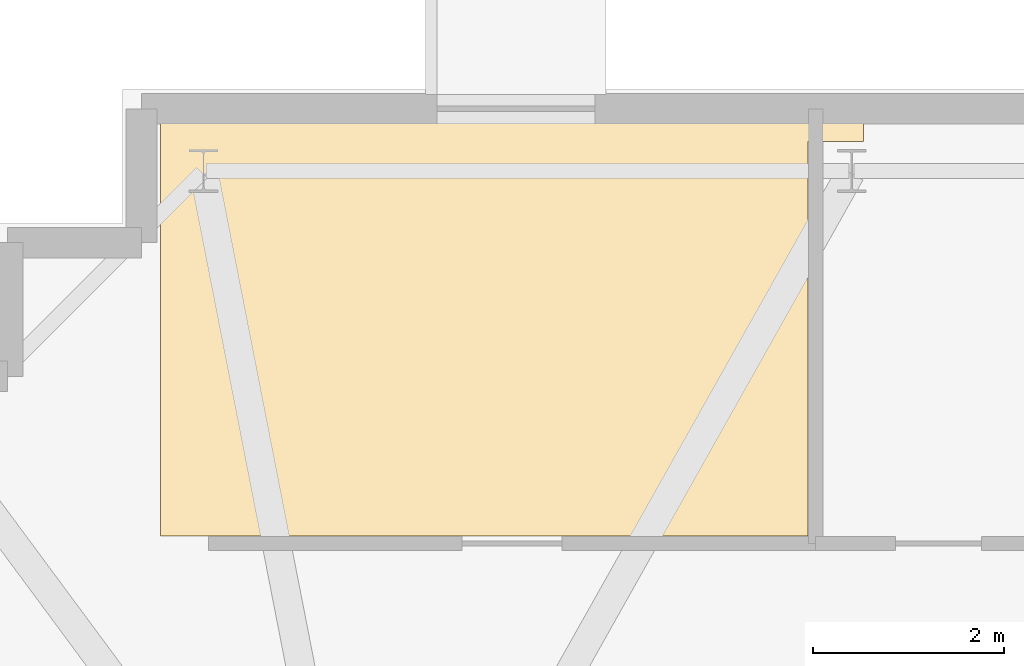
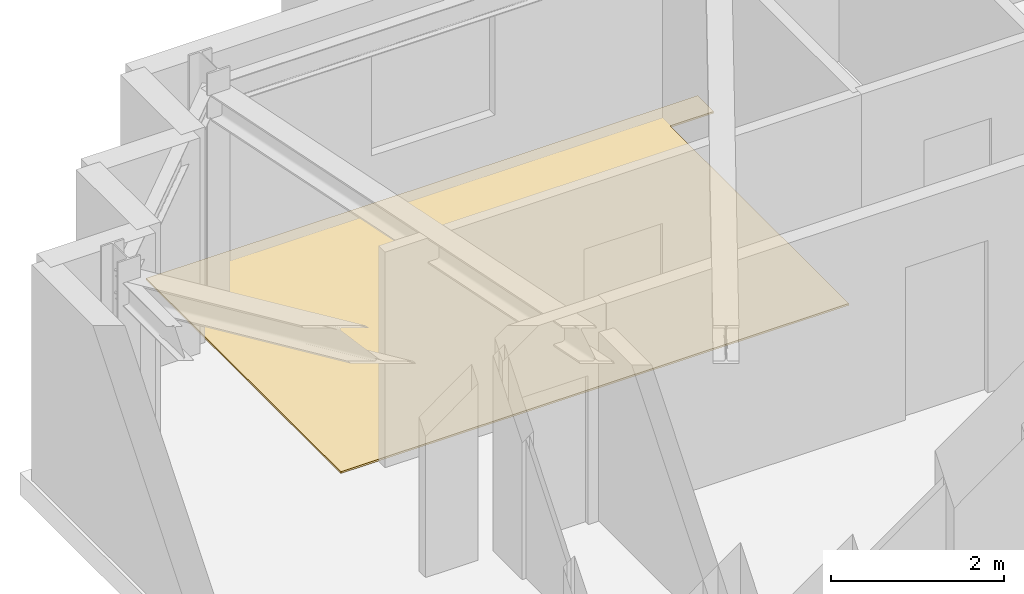
# One storey, part 12 of 12: 1 covering.
"""IFC4 building model written with IfcOpenShell, lengths in metres."""

from ifc_helpers import new_model, si_unit, direction, frame, origin, place, context, subcontext, project, spatial, polyline, outline, extrude, material, layer, layer_set, type_object, element, save


model = new_model("IFC4")

# Units and contexts
model_context = context("Model", 3, precision=1e-05, world=origin(), true_north=direction((0.0, 1.0)))
body_context = subcontext(model_context, "Body", "Model", "MODEL_VIEW")
ifc_project = project(units=[si_unit("LENGTHUNIT", "METRE"), si_unit("AREAUNIT", "SQUARE_METRE"), si_unit("VOLUMEUNIT", "CUBIC_METRE"), si_unit("PLANEANGLEUNIT", "RADIAN"), si_unit("MASSUNIT", "GRAM", prefix="KILO")], contexts=[model_context])

# Site, building, storey
site_placement = place(None, origin())
site = spatial("IfcSite", under=ifc_project, at=site_placement, CompositionType="ELEMENT")
building_placement = place(site_placement, origin())
building = spatial("IfcBuilding", under=site, at=building_placement, Name="Qobustan Lattice House", CompositionType="ELEMENT")
storey_placement = place(building_placement, frame((0.0, 0.0, 241.699951171875)))
storey = spatial("IfcBuildingStorey", under=building, at=storey_placement, Name="L68", CompositionType="ELEMENT", Elevation=241.699951171875)

# Covering
ifc_material = material(Name="Honed Absheron stone terrazzo flooring", Category="masonry")
ifc_layer = layer(ifc_material, 0.02490234375)
ifc_layer_set = layer_set([ifc_layer], Name="Honed Absheron stone terrazzo flooring")
covering_type = type_object("IfcCoveringType", Name="COV-TERRAZZO-FLR", PredefinedType="FLOORING", material=ifc_layer_set)
covering_placement = place(storey_placement, origin())
element("IfcCovering", 1, at=covering_placement, inside=storey, type_object=covering_type, Name="L68 Focus study room N1 stone terrazzo flooring", PredefinedType="FLOORING", context=body_context, shape_type="SweptSolid", body=[
    extrude(outline(polyline([(-13.64306640625, 15.22998046875), (-21.0, 15.22998046875), (-21.0, 10.72998046875), (-14.222900390625, 10.72998046875), (-14.222900390625, 14.860107421875), (-13.64306640625, 14.860107421875), (-13.64306640625, 15.22998046875)])), origin(), (0.0, 0.0, 1.0), 0.025146484375),
])

save(model, "model.ifc")
